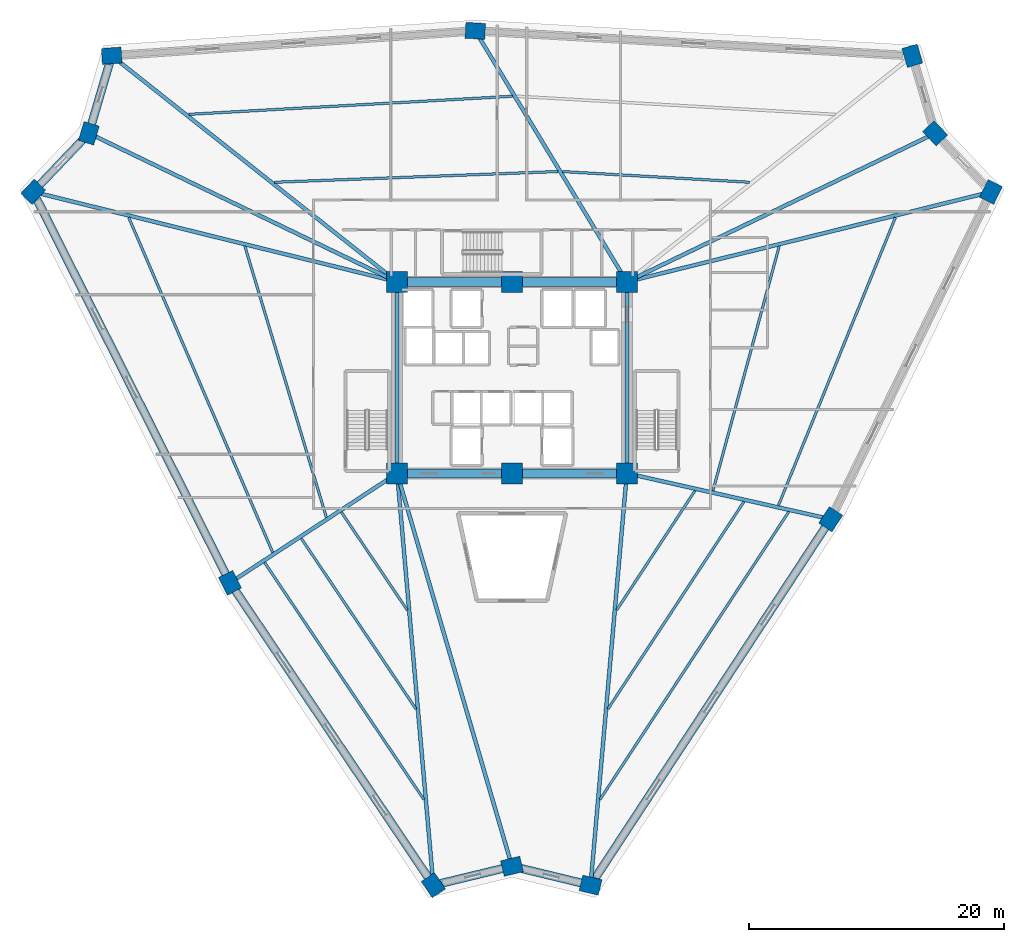
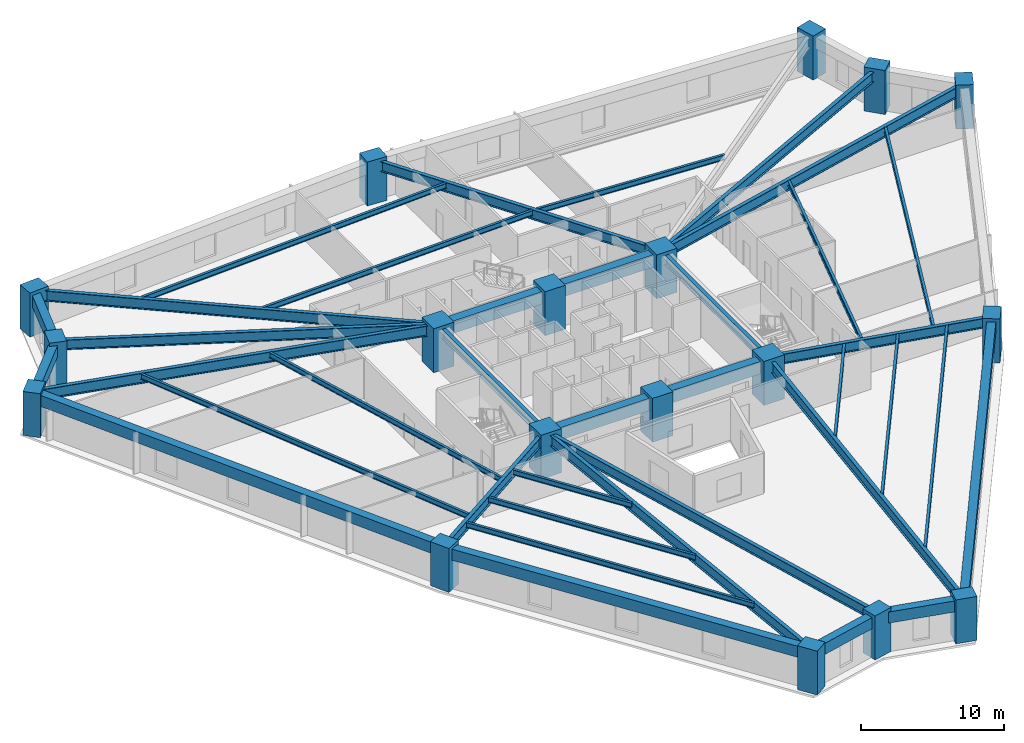
# One storey, part 1 of 8: 37 beams, 18 columns.
"""IFC4 building model written with IfcOpenShell, lengths in metres."""

from ifc_helpers import new_model, si_unit, direction, frame, origin, origin_2d, place, context, subcontext, project, spatial, rectangle, i_section, extrude, source, transform, mapped, material, material_profile, profile_set, type_object, element, save


model = new_model("IFC4")

# Units and contexts
model_context = context("Model", 3, precision=1e-05, world=origin(), true_north=direction((0.0, 1.0)))
body_context = subcontext(model_context, "Body", "Model", "MODEL_VIEW")
ifc_project = project(units=[si_unit("LENGTHUNIT", "METRE"), si_unit("AREAUNIT", "SQUARE_METRE"), si_unit("VOLUMEUNIT", "CUBIC_METRE"), si_unit("PLANEANGLEUNIT", "RADIAN"), si_unit("MASSUNIT", "GRAM", prefix="KILO")], contexts=[model_context])

# Site, building, storey
site_placement = place(None, origin())
site = spatial("IfcSite", under=ifc_project, at=site_placement, CompositionType="ELEMENT")
building_placement = place(site_placement, origin())
building = spatial("IfcBuilding", under=site, at=building_placement, Name="Liaohun Quay Tower", CompositionType="ELEMENT")
storey_placement = place(building_placement, frame((0.0, 0.0, 89.25)))
storey = spatial("IfcBuildingStorey", under=building, at=storey_placement, Name="L23", CompositionType="ELEMENT", Elevation=89.25)

# Columns
ifc_material_1 = material(Name="Concrete C60", Category="concrete")
ifc_material_profile_1 = material_profile(ifc_material_1, rectangle(XDim=1.64990234375, YDim=1.64990234375, at=origin_2d()), Name="RC1650x1650")
ifc_profile_set_1 = profile_set([ifc_material_profile_1], Name="Concrete C60")
column_type_1 = type_object("IfcColumnType", Name="COL-CC-Z1", PredefinedType="COLUMN", material=ifc_profile_set_1)
shared_shape_1 = source(origin(), body_context, "Body", "SweptSolid", [
    extrude(rectangle(XDim=1.64990234375, YDim=1.64990234375, at=origin_2d()), origin(), (0.0, 0.0, 1.0), 3.75),
])
for number, where, z_axis, x_axis, name in (
    (1, (51.0, 46.5, 0.0), (0.0, 0.0, 1.0), (1.0, 0.0, 0.0), "L23 Core Column CC1"),
    (2, (60.0, 46.5, 0.0), (0.0, 0.0, 1.0), (1.0, 0.0, 0.0), "L23 Core Column CC2"),
    (3, (69.0, 46.5, 0.0), (0.0, 0.0, 1.0), (1.0, 0.0, 0.0), "L23 Core Column CC3"),
    (4, (69.0, 61.5, 0.0), (0.0, 0.0, 1.0), (1.0, 0.0, 0.0), "L23 Core Column CC4"),
    (5, (60.0, 61.5, 0.0), (0.0, 0.0, 1.0), (1.0, 0.0, 0.0), "L23 Core Column CC5"),
    (6, (51.0, 61.5, 0.0), (0.0, 0.0, 1.0), (1.0, 0.0, 0.0), "L23 Core Column CC6"),
):
    element("IfcColumn", number, at=place(storey_placement, frame(where, z_axis=z_axis, x_axis=x_axis)), inside=storey, type_object=column_type_1, Name=name, PredefinedType="COLUMN", context=body_context, shape_type="MappedRepresentation", body=[
        mapped(shared_shape_1, transform((0.0, 0.0, 0.0), x_axis=(1.0, 0.0, 0.0), y_axis=(0.0, 1.0, 0.0), z_axis=(0.0, 0.0, 1.0), scale=1.0)),
    ])
ifc_material_profile_2 = material_profile(ifc_material_1, rectangle(XDim=1.550048828125, YDim=1.25, at=origin_2d()), Name="RC1550x1250")
ifc_profile_set_2 = profile_set([ifc_material_profile_2], Name="Concrete C60")
column_type_2 = type_object("IfcColumnType", Name="COL-PIER-Z1", PredefinedType="COLUMN", material=ifc_profile_set_2)
shared_shape_2 = source(origin(), body_context, "Body", "SweptSolid", [
    extrude(rectangle(XDim=1.550048828125, YDim=1.25, at=origin_2d()), origin(), (0.0, 0.0, 1.0), 3.75),
])
for number, where, z_axis, x_axis, name in (
    (7, (53.837890625, 14.22705078125, 0.0), (0.0, 0.0, 1.0), (-0.557889964956, 0.829914927569, 0.0), "L23 Perimeter Pier PC01"),
    (8, (37.908935546875, 37.925048828125, 0.0), (0.0, 0.0, 1.0), (-0.449942579956, 0.893057486807, 0.0), "L23 Perimeter Pier PC02"),
    (9, (22.47900390625, 68.554931640625, 0.0), (0.0, 0.0, 1.0), (0.68936671806, 0.724412539946, 0.0), "L23 Perimeter Pier PC03"),
    (10, (26.844970703125, 73.14208984375, 0.0), (0.0, 0.0, 1.0), (0.282676303383, 0.959215360337, 0.0), "L23 Perimeter Pier PC04"),
    (11, (28.636962890625, 79.221923828125, 0.0), (0.0, 0.0, 1.0), (0.997672392732, 0.068189418384, 0.0), "L23 Perimeter Pier PC05"),
    (12, (57.1240234375, 81.16796875, 0.0), (0.0, 0.0, 1.0), (-0.998381760593, 0.056867038918, 0.0), "L23 Perimeter Pier PC06"),
    (13, (91.364990234375, 79.215087890625, 0.0), (0.0, 0.0, 1.0), (-0.282676303383, 0.959215360337, 0.0), "L23 Perimeter Pier PC07"),
    (14, (93.155029296875, 73.14208984375, 0.0), (0.0, 0.0, 1.0), (-0.68936671806, 0.724412539946, 0.0), "L23 Perimeter Pier PC08"),
    (15, (97.52490234375, 68.550048828125, 0.0), (0.0, 0.0, 1.0), (0.439782427776, 0.898104345953, 0.0), "L23 Perimeter Pier PC09"),
    (16, (84.967041015625, 42.906982421875, 0.0), (0.0, 0.0, 1.0), (0.548439180637, 0.83619044789, 0.0), "L23 Perimeter Pier PC10"),
    (17, (66.155029296875, 14.22900390625, 0.0), (0.0, 0.0, 1.0), (-0.972043021443, 0.234802820391, 0.0), "L23 Perimeter Pier PC11"),
    (18, (60.0, 15.715087890625, 0.0), (0.0, 0.0, 1.0), (0.972043021443, 0.234802820391, 0.0), "L23 Perimeter Pier PC12"),
):
    element("IfcColumn", number, at=place(storey_placement, frame(where, z_axis=z_axis, x_axis=x_axis)), inside=storey, type_object=column_type_2, Name=name, PredefinedType="COLUMN", context=body_context, shape_type="MappedRepresentation", body=[
        mapped(shared_shape_2, transform((0.0, 0.0, 0.0), x_axis=(1.0, 0.0, 0.0), y_axis=(0.0, 1.0, 0.0), z_axis=(0.0, 0.0, 1.0), scale=1.0)),
    ])

# Beams
ifc_material_profile_3 = material_profile(ifc_material_1, rectangle(XDim=0.699951171875, YDim=1.050048828125, at=origin_2d()), Name="RC700x1050")
ifc_profile_set_3 = profile_set([ifc_material_profile_3], Name="Concrete C60")
beam_type_1 = type_object("IfcBeamType", Name="BM-CPL-1", PredefinedType="LINTEL", material=ifc_profile_set_3)
shared_shape_3 = source(origin(), body_context, "Body", "SweptSolid", [
    extrude(rectangle(XDim=0.699951171875, YDim=1.050048828125, at=origin_2d()), origin(), (0.0, 0.0, 1.0), 9.0),
])
for number, where, z_axis, x_axis, name in (
    (19, (51.0, 46.5, 2.945068359375), (1.0, 0.0, 0.0), (0.0, 1.0, 0.0), "L23 Core Coupling/Ring Beam CC1-CC2"),
    (20, (60.0, 46.5, 2.945068359375), (1.0, 0.0, 0.0), (0.0, 1.0, 0.0), "L23 Core Coupling/Ring Beam CC2-CC3"),
    (21, (69.0, 61.5, 2.945068359375), (-1.0, 0.0, 0.0), (0.0, -1.0, 0.0), "L23 Core Coupling/Ring Beam CC4-CC5"),
    (22, (60.0, 61.5, 2.945068359375), (-1.0, 0.0, 0.0), (0.0, -1.0, 0.0), "L23 Core Coupling/Ring Beam CC5-CC6"),
):
    element("IfcBeam", number, at=place(storey_placement, frame(where, z_axis=z_axis, x_axis=x_axis)), inside=storey, type_object=beam_type_1, Name=name, PredefinedType="LINTEL", context=body_context, shape_type="MappedRepresentation", body=[
        mapped(shared_shape_3, transform((0.0, 0.0, 0.0), x_axis=(1.0, 0.0, 0.0), y_axis=(0.0, 1.0, 0.0), z_axis=(0.0, 0.0, 1.0), scale=1.0)),
    ])
ifc_material_2 = material(Name="Steel Q355D", Category="steel")
ifc_material_profile_4 = material_profile(ifc_material_2, i_section(OverallWidth=0.300048828125, OverallDepth=0.800048828125, WebThickness=0.013916015625, FlangeThickness=0.02587890625, at=origin_2d()), Name="HN800x300x14x26")
ifc_profile_set_4 = profile_set([ifc_material_profile_4], Name="Steel Q355D")
beam_type_2 = type_object("IfcBeamType", Name="BM-RAD-M1", PredefinedType="BEAM", material=ifc_profile_set_4)
shared_shape_4 = source(origin(), body_context, "Body", "SweptSolid", [
    extrude(i_section(OverallWidth=0.300048828125, OverallDepth=0.800048828125, WebThickness=0.013916015625, FlangeThickness=0.02587890625, at=origin_2d()), origin(), (0.0, 0.0, 1.0), 15.0),
])
for number, where, z_axis, x_axis, name in (
    (23, (69.0, 46.5, 3.070068359375), (0.0, 1.0, 0.0), (-1.0, 0.0, 0.0), "L23 Core Coupling/Ring Beam CC3-CC4"),
    (24, (51.0, 61.5, 3.070068359375), (0.0, -1.0, 0.0), (1.0, 0.0, 0.0), "L23 Core Coupling/Ring Beam CC6-CC1"),
):
    element("IfcBeam", number, at=place(storey_placement, frame(where, z_axis=z_axis, x_axis=x_axis)), inside=storey, type_object=beam_type_2, Name=name, PredefinedType="BEAM", context=body_context, shape_type="MappedRepresentation", body=[
        mapped(shared_shape_4, transform((0.0, 0.0, 0.0), x_axis=(1.0, 0.0, 0.0), y_axis=(0.0, 1.0, 0.0), z_axis=(0.0, 0.0, 1.0), scale=1.0)),
    ])
ifc_material_3 = material(Name="Steel Q420D", Category="steel")
ifc_material_profile_5 = material_profile(ifc_material_3, i_section(OverallWidth=0.300048828125, OverallDepth=0.89990234375, WebThickness=0.01611328125, FlangeThickness=0.028076171875, at=origin_2d()), Name="HN900x300x16x28")
ifc_profile_set_5 = profile_set([ifc_material_profile_5], Name="Steel Q420D")
beam_type_3 = type_object("IfcBeamType", Name="BM-RAD-H1", PredefinedType="BEAM", material=ifc_profile_set_5)
shared_shape_5 = source(origin(), body_context, "Body", "SweptSolid", [
    extrude(i_section(OverallWidth=0.300048828125, OverallDepth=0.89990234375, WebThickness=0.01611328125, FlangeThickness=0.028076171875, at=origin_2d()), origin(), (0.0, 0.0, 1.0), 32.3974609375),
])
beam_1_placement = place(storey_placement, frame((51.0, 46.5, 3.02001953125), z_axis=(0.087596022997, -0.996156080519, 0.0), x_axis=(0.996156080519, 0.087596022997, 0.0)))
element("IfcBeam", 25, at=beam_1_placement, inside=storey, type_object=beam_type_3, Name="L23 Radial Primary Girder CC1-PC01", PredefinedType="BEAM", context=body_context, shape_type="MappedRepresentation", body=[
    mapped(shared_shape_5, transform((0.0, 0.0, 0.0), x_axis=(1.0, 0.0, 0.0), y_axis=(0.0, 1.0, 0.0), z_axis=(0.0, 0.0, 1.0), scale=1.0)),
])
ifc_material_profile_6 = material_profile(ifc_material_2, i_section(OverallWidth=0.300048828125, OverallDepth=0.85009765625, WebThickness=0.01611328125, FlangeThickness=0.028076171875, at=origin_2d()), Name="HN850x300x16x28")
ifc_profile_set_6 = profile_set([ifc_material_profile_6], Name="Steel Q355D")
beam_type_4 = type_object("IfcBeamType", Name="BM-RAD-H2", PredefinedType="BEAM", material=ifc_profile_set_6)
shared_shape_6 = source(origin(), body_context, "Body", "SweptSolid", [
    extrude(i_section(OverallWidth=0.300048828125, OverallDepth=0.85009765625, WebThickness=0.01611328125, FlangeThickness=0.028076171875, at=origin_2d()), origin(), (0.0, 0.0, 1.0), 15.6494140625),
])
beam_2_placement = place(storey_placement, frame((51.0, 46.5, 3.044921875), z_axis=(-0.836518335776, -0.547938932647, 0.0), x_axis=(0.547938932647, -0.836518335776, 0.0)))
element("IfcBeam", 26, at=beam_2_placement, inside=storey, type_object=beam_type_4, Name="L23 Radial Primary Girder CC1-PC02", PredefinedType="BEAM", context=body_context, shape_type="MappedRepresentation", body=[
    mapped(shared_shape_6, transform((0.0, 0.0, 0.0), x_axis=(1.0, 0.0, 0.0), y_axis=(0.0, 1.0, 0.0), z_axis=(0.0, 0.0, 1.0), scale=1.0)),
])
shared_shape_7 = source(origin(), body_context, "Body", "SweptSolid", [
    extrude(i_section(OverallWidth=0.300048828125, OverallDepth=0.89990234375, WebThickness=0.01611328125, FlangeThickness=0.028076171875, at=origin_2d()), origin(), (0.0, 0.0, 1.0), 29.380615234375),
])
beam_3_placement = place(storey_placement, frame((51.0, 61.5, 3.02001953125), z_axis=(-0.970742678292, 0.240122161704, 0.0), x_axis=(-0.240122161704, -0.970742678292, 0.0)))
element("IfcBeam", 27, at=beam_3_placement, inside=storey, type_object=beam_type_3, Name="L23 Radial Primary Girder CC6-PC03", PredefinedType="BEAM", context=body_context, shape_type="MappedRepresentation", body=[
    mapped(shared_shape_7, transform((0.0, 0.0, 0.0), x_axis=(1.0, 0.0, 0.0), y_axis=(0.0, 1.0, 0.0), z_axis=(0.0, 0.0, 1.0), scale=1.0)),
])
shared_shape_8 = source(origin(), body_context, "Body", "SweptSolid", [
    extrude(i_section(OverallWidth=0.300048828125, OverallDepth=0.85009765625, WebThickness=0.01611328125, FlangeThickness=0.028076171875, at=origin_2d()), origin(), (0.0, 0.0, 1.0), 26.814208984375),
])
for number, where, z_axis, x_axis, name in (
    (28, (51.0, 61.5, 3.044921875), (-0.900828270429, 0.434175571854, 0.0), (-0.434175571854, -0.900828270429, 0.0), "L23 Radial Primary Girder CC6-PC04"),
    (29, (69.0, 61.5, 3.044921875), (0.900828270429, 0.434175571854, 0.0), (-0.434175571854, 0.900828270429, 0.0), "L23 Radial Primary Girder CC4-PC08"),
):
    element("IfcBeam", number, at=place(storey_placement, frame(where, z_axis=z_axis, x_axis=x_axis)), inside=storey, type_object=beam_type_4, Name=name, PredefinedType="BEAM", context=body_context, shape_type="MappedRepresentation", body=[
        mapped(shared_shape_8, transform((0.0, 0.0, 0.0), x_axis=(1.0, 0.0, 0.0), y_axis=(0.0, 1.0, 0.0), z_axis=(0.0, 0.0, 1.0), scale=1.0)),
    ])
shared_shape_9 = source(origin(), body_context, "Body", "SweptSolid", [
    extrude(i_section(OverallWidth=0.300048828125, OverallDepth=0.89990234375, WebThickness=0.01611328125, FlangeThickness=0.028076171875, at=origin_2d()), origin(), (0.0, 0.0, 1.0), 28.53369140625),
])
beam_4_placement = place(storey_placement, frame((51.0, 61.5, 3.02001953125), z_axis=(-0.783741240078, 0.621087488685, 0.0), x_axis=(-0.621087488685, -0.783741240078, 0.0)))
element("IfcBeam", 30, at=beam_4_placement, inside=storey, type_object=beam_type_3, Name="L23 Radial Primary Girder CC6-PC05", PredefinedType="BEAM", context=body_context, shape_type="MappedRepresentation", body=[
    mapped(shared_shape_9, transform((0.0, 0.0, 0.0), x_axis=(1.0, 0.0, 0.0), y_axis=(0.0, 1.0, 0.0), z_axis=(0.0, 0.0, 1.0), scale=1.0)),
])
shared_shape_10 = source(origin(), body_context, "Body", "SweptSolid", [
    extrude(i_section(OverallWidth=0.300048828125, OverallDepth=0.85009765625, WebThickness=0.01611328125, FlangeThickness=0.028076171875, at=origin_2d()), origin(), (0.0, 0.0, 1.0), 22.975341796875),
])
beam_5_placement = place(storey_placement, frame((69.0, 61.5, 3.044921875), z_axis=(-0.516900248141, 0.856045637494, 0.0), x_axis=(-0.856045637494, -0.516900248141, 0.0)))
element("IfcBeam", 31, at=beam_5_placement, inside=storey, type_object=beam_type_4, Name="L23 Radial Primary Girder CC4-PC06", PredefinedType="BEAM", context=body_context, shape_type="MappedRepresentation", body=[
    mapped(shared_shape_10, transform((0.0, 0.0, 0.0), x_axis=(1.0, 0.0, 0.0), y_axis=(0.0, 1.0, 0.0), z_axis=(0.0, 0.0, 1.0), scale=1.0)),
])
shared_shape_11 = source(origin(), body_context, "Body", "SweptSolid", [
    extrude(i_section(OverallWidth=0.300048828125, OverallDepth=0.89990234375, WebThickness=0.01611328125, FlangeThickness=0.028076171875, at=origin_2d()), origin(), (0.0, 0.0, 1.0), 29.38330078125),
])
beam_6_placement = place(storey_placement, frame((69.0, 61.5, 3.02001953125), z_axis=(0.970789060717, 0.239934573566, 0.0), x_axis=(-0.239934573566, 0.970789060717, 0.0)))
element("IfcBeam", 32, at=beam_6_placement, inside=storey, type_object=beam_type_3, Name="L23 Radial Primary Girder CC4-PC09", PredefinedType="BEAM", context=body_context, shape_type="MappedRepresentation", body=[
    mapped(shared_shape_11, transform((0.0, 0.0, 0.0), x_axis=(1.0, 0.0, 0.0), y_axis=(0.0, 1.0, 0.0), z_axis=(0.0, 0.0, 1.0), scale=1.0)),
])
shared_shape_12 = source(origin(), body_context, "Body", "SweptSolid", [
    extrude(i_section(OverallWidth=0.300048828125, OverallDepth=0.85009765625, WebThickness=0.01611328125, FlangeThickness=0.028076171875, at=origin_2d()), origin(), (0.0, 0.0, 1.0), 16.3662109375),
])
beam_7_placement = place(storey_placement, frame((69.0, 46.5, 3.044921875), z_axis=(0.975604085259, -0.21953739733, 0.0), x_axis=(0.21953739733, 0.975604085259, 0.0)))
element("IfcBeam", 33, at=beam_7_placement, inside=storey, type_object=beam_type_4, Name="L23 Radial Primary Girder CC3-PC10", PredefinedType="BEAM", context=body_context, shape_type="MappedRepresentation", body=[
    mapped(shared_shape_12, transform((0.0, 0.0, 0.0), x_axis=(1.0, 0.0, 0.0), y_axis=(0.0, 1.0, 0.0), z_axis=(0.0, 0.0, 1.0), scale=1.0)),
])
shared_shape_13 = source(origin(), body_context, "Body", "SweptSolid", [
    extrude(i_section(OverallWidth=0.300048828125, OverallDepth=0.89990234375, WebThickness=0.01611328125, FlangeThickness=0.028076171875, at=origin_2d()), origin(), (0.0, 0.0, 1.0), 32.396240234375),
])
beam_8_placement = place(storey_placement, frame((69.0, 46.5, 3.02001953125), z_axis=(-0.087818151499, -0.996136522906, 0.0), x_axis=(0.996136522906, -0.087818151499, 0.0)))
element("IfcBeam", 34, at=beam_8_placement, inside=storey, type_object=beam_type_3, Name="L23 Radial Primary Girder CC3-PC11", PredefinedType="BEAM", context=body_context, shape_type="MappedRepresentation", body=[
    mapped(shared_shape_13, transform((0.0, 0.0, 0.0), x_axis=(1.0, 0.0, 0.0), y_axis=(0.0, 1.0, 0.0), z_axis=(0.0, 0.0, 1.0), scale=1.0)),
])
shared_shape_14 = source(origin(), body_context, "Body", "SweptSolid", [
    extrude(i_section(OverallWidth=0.300048828125, OverallDepth=0.85009765625, WebThickness=0.01611328125, FlangeThickness=0.028076171875, at=origin_2d()), origin(), (0.0, 0.0, 1.0), 32.073486328125),
])
beam_9_placement = place(storey_placement, frame((51.0, 46.5, 3.044921875), z_axis=(0.280605291791, -0.959823249468, 0.0), x_axis=(0.959823249468, 0.280605291791, 0.0)))
element("IfcBeam", 35, at=beam_9_placement, inside=storey, type_object=beam_type_4, Name="L23 Radial Primary Girder CC1-PC12", PredefinedType="BEAM", context=body_context, shape_type="MappedRepresentation", body=[
    mapped(shared_shape_14, transform((0.0, 0.0, 0.0), x_axis=(1.0, 0.0, 0.0), y_axis=(0.0, 1.0, 0.0), z_axis=(0.0, 0.0, 1.0), scale=1.0)),
])
ifc_material_profile_7 = material_profile(ifc_material_2, i_section(OverallWidth=0.199951171875, OverallDepth=0.449951171875, WebThickness=0.009033203125, FlangeThickness=0.013916015625, at=origin_2d()), Name="HN450x200x9x14")
ifc_profile_set_7 = profile_set([ifc_material_profile_7], Name="Steel Q355D")
beam_type_5 = type_object("IfcBeamType", Name="BM-SEC-J1", PredefinedType="JOIST", material=ifc_profile_set_7)
shared_shape_15 = source(origin(), body_context, "Body", "SweptSolid", [
    extrude(i_section(OverallWidth=0.199951171875, OverallDepth=0.449951171875, WebThickness=0.009033203125, FlangeThickness=0.013916015625, at=origin_2d()), origin(), (0.0, 0.0, 1.0), 9.247802734375),
])
beam_10_placement = place(storey_placement, frame((51.7919921875, 35.784912109375, 3.2451171875), z_axis=(-0.557858096959, 0.82993634916, 0.0), x_axis=(-0.82993634916, -0.557858096959, 0.0)))
element("IfcBeam", 36, at=beam_10_placement, inside=storey, type_object=beam_type_5, Name="L23 Wing Secondary Floor Joist SJ-01", PredefinedType="JOIST", context=body_context, shape_type="MappedRepresentation", body=[
    mapped(shared_shape_15, transform((0.0, 0.0, 0.0), x_axis=(1.0, 0.0, 0.0), y_axis=(0.0, 1.0, 0.0), z_axis=(0.0, 0.0, 1.0), scale=1.0)),
])
shared_shape_16 = source(origin(), body_context, "Body", "SweptSolid", [
    extrude(i_section(OverallWidth=0.199951171875, OverallDepth=0.449951171875, WebThickness=0.009033203125, FlangeThickness=0.013916015625, at=origin_2d()), origin(), (0.0, 0.0, 1.0), 16.10107421875),
])
beam_11_placement = place(storey_placement, frame((52.472900390625, 28.0390625, 3.2451171875), z_axis=(-0.557845454064, 0.829944847192, 0.0), x_axis=(-0.829944847192, -0.557845454064, 0.0)))
element("IfcBeam", 37, at=beam_11_placement, inside=storey, type_object=beam_type_5, Name="L23 Wing Secondary Floor Joist SJ-02", PredefinedType="JOIST", context=body_context, shape_type="MappedRepresentation", body=[
    mapped(shared_shape_16, transform((0.0, 0.0, 0.0), x_axis=(1.0, 0.0, 0.0), y_axis=(0.0, 1.0, 0.0), z_axis=(0.0, 0.0, 1.0), scale=1.0)),
])
shared_shape_17 = source(origin(), body_context, "Body", "SweptSolid", [
    extrude(i_section(OverallWidth=0.199951171875, OverallDepth=0.449951171875, WebThickness=0.009033203125, FlangeThickness=0.013916015625, at=origin_2d()), origin(), (0.0, 0.0, 1.0), 22.383056640625),
])
beam_12_placement = place(storey_placement, frame((53.096923828125, 20.93896484375, 3.2451171875), z_axis=(-0.557822488475, 0.829960282997, 0.0), x_axis=(-0.829960282997, -0.557822488475, 0.0)))
element("IfcBeam", 38, at=beam_12_placement, inside=storey, type_object=beam_type_5, Name="L23 Wing Secondary Floor Joist SJ-03", PredefinedType="JOIST", context=body_context, shape_type="MappedRepresentation", body=[
    mapped(shared_shape_17, transform((0.0, 0.0, 0.0), x_axis=(1.0, 0.0, 0.0), y_axis=(0.0, 1.0, 0.0), z_axis=(0.0, 0.0, 1.0), scale=1.0)),
])
shared_shape_18 = source(origin(), body_context, "Body", "SweptSolid", [
    extrude(i_section(OverallWidth=0.199951171875, OverallDepth=0.449951171875, WebThickness=0.009033203125, FlangeThickness=0.013916015625, at=origin_2d()), origin(), (0.0, 0.0, 1.0), 22.186767578125),
])
beam_13_placement = place(storey_placement, frame((45.45703125, 43.048095703125, 3.2451171875), z_axis=(-0.287829396711, 0.957681699934, 0.0), x_axis=(-0.957681699934, -0.287829396711, 0.0)))
element("IfcBeam", 39, at=beam_13_placement, inside=storey, type_object=beam_type_5, Name="L23 Wing Secondary Floor Joist SJ-04", PredefinedType="JOIST", context=body_context, shape_type="MappedRepresentation", body=[
    mapped(shared_shape_18, transform((0.0, 0.0, 0.0), x_axis=(1.0, 0.0, 0.0), y_axis=(0.0, 1.0, 0.0), z_axis=(0.0, 0.0, 1.0), scale=1.0)),
])
shared_shape_19 = source(origin(), body_context, "Body", "SweptSolid", [
    extrude(i_section(OverallWidth=0.199951171875, OverallDepth=0.449951171875, WebThickness=0.009033203125, FlangeThickness=0.013916015625, at=origin_2d()), origin(), (0.0, 0.0, 1.0), 28.576416015625),
])
beam_14_placement = place(storey_placement, frame((41.2529296875, 40.2939453125, 3.2451171875), z_axis=(-0.394869767762, 0.918737104131, 0.0), x_axis=(-0.918737104131, -0.394869767762, 0.0)))
element("IfcBeam", 40, at=beam_14_placement, inside=storey, type_object=beam_type_5, Name="L23 Wing Secondary Floor Joist SJ-05", PredefinedType="JOIST", context=body_context, shape_type="MappedRepresentation", body=[
    mapped(shared_shape_19, transform((0.0, 0.0, 0.0), x_axis=(1.0, 0.0, 0.0), y_axis=(0.0, 1.0, 0.0), z_axis=(0.0, 0.0, 1.0), scale=1.0)),
])
shared_shape_20 = source(origin(), body_context, "Body", "SweptSolid", [
    extrude(i_section(OverallWidth=0.199951171875, OverallDepth=0.449951171875, WebThickness=0.009033203125, FlangeThickness=0.013916015625, at=origin_2d()), origin(), (0.0, 0.0, 1.0), 22.227783203125),
])
beam_15_placement = place(storey_placement, frame((41.39111328125, 69.305908203125, 3.2451171875), z_axis=(0.999283873274, 0.037838348466, 0.0), x_axis=(-0.037838348466, 0.999283873274, 0.0)))
element("IfcBeam", 41, at=beam_15_placement, inside=storey, type_object=beam_type_5, Name="L23 Wing Secondary Floor Joist SJ-06", PredefinedType="JOIST", context=body_context, shape_type="MappedRepresentation", body=[
    mapped(shared_shape_20, transform((0.0, 0.0, 0.0), x_axis=(1.0, 0.0, 0.0), y_axis=(0.0, 1.0, 0.0), z_axis=(0.0, 0.0, 1.0), scale=1.0)),
])
shared_shape_21 = source(origin(), body_context, "Body", "SweptSolid", [
    extrude(i_section(OverallWidth=0.199951171875, OverallDepth=0.449951171875, WebThickness=0.009033203125, FlangeThickness=0.013916015625, at=origin_2d()), origin(), (0.0, 0.0, 1.0), 25.404541015625),
])
beam_16_placement = place(storey_placement, frame((34.677001953125, 74.626953125, 3.2451171875), z_axis=(0.998441102826, 0.055815447569, 0.0), x_axis=(-0.055815447569, 0.998441102826, 0.0)))
element("IfcBeam", 42, at=beam_16_placement, inside=storey, type_object=beam_type_5, Name="L23 Wing Secondary Floor Joist SJ-07", PredefinedType="JOIST", context=body_context, shape_type="MappedRepresentation", body=[
    mapped(shared_shape_21, transform((0.0, 0.0, 0.0), x_axis=(1.0, 0.0, 0.0), y_axis=(0.0, 1.0, 0.0), z_axis=(0.0, 0.0, 1.0), scale=1.0)),
])
shared_shape_22 = source(origin(), body_context, "Body", "SweptSolid", [
    extrude(i_section(OverallWidth=0.199951171875, OverallDepth=0.449951171875, WebThickness=0.009033203125, FlangeThickness=0.013916015625, at=origin_2d()), origin(), (0.0, 0.0, 1.0), 14.682861328125),
])
beam_17_placement = place(storey_placement, frame((63.9560546875, 70.14404296875, 3.2451171875), z_axis=(0.998373255033, -0.057016169937, 0.0), x_axis=(0.057016169937, 0.998373255033, 0.0)))
element("IfcBeam", 43, at=beam_17_placement, inside=storey, type_object=beam_type_5, Name="L23 Wing Secondary Floor Joist SJ-08", PredefinedType="JOIST", context=body_context, shape_type="MappedRepresentation", body=[
    mapped(shared_shape_22, transform((0.0, 0.0, 0.0), x_axis=(1.0, 0.0, 0.0), y_axis=(0.0, 1.0, 0.0), z_axis=(0.0, 0.0, 1.0), scale=1.0)),
])
shared_shape_23 = source(origin(), body_context, "Body", "SweptSolid", [
    extrude(i_section(OverallWidth=0.199951171875, OverallDepth=0.449951171875, WebThickness=0.009033203125, FlangeThickness=0.013916015625, at=origin_2d()), origin(), (0.0, 0.0, 1.0), 19.849609375),
])
beam_18_placement = place(storey_placement, frame((80.93603515625, 64.294921875, 3.2451171875), z_axis=(-0.261511204359, -0.96520044032, 0.0), x_axis=(0.96520044032, -0.261511204359, 0.0)))
element("IfcBeam", 44, at=beam_18_placement, inside=storey, type_object=beam_type_5, Name="L23 Wing Secondary Floor Joist SJ-10", PredefinedType="JOIST", context=body_context, shape_type="MappedRepresentation", body=[
    mapped(shared_shape_23, transform((0.0, 0.0, 0.0), x_axis=(1.0, 0.0, 0.0), y_axis=(0.0, 1.0, 0.0), z_axis=(0.0, 0.0, 1.0), scale=1.0)),
])
shared_shape_24 = source(origin(), body_context, "Body", "SweptSolid", [
    extrude(i_section(OverallWidth=0.199951171875, OverallDepth=0.449951171875, WebThickness=0.009033203125, FlangeThickness=0.013916015625, at=origin_2d()), origin(), (0.0, 0.0, 1.0), 24.353759765625),
])
beam_19_placement = place(storey_placement, frame((90.0390625, 66.544921875, 3.2451171875), z_axis=(-0.376370055654, -0.926469417308, 0.0), x_axis=(0.926469417308, -0.376370055654, 0.0)))
element("IfcBeam", 45, at=beam_19_placement, inside=storey, type_object=beam_type_5, Name="L23 Wing Secondary Floor Joist SJ-11", PredefinedType="JOIST", context=body_context, shape_type="MappedRepresentation", body=[
    mapped(shared_shape_24, transform((0.0, 0.0, 0.0), x_axis=(1.0, 0.0, 0.0), y_axis=(0.0, 1.0, 0.0), z_axis=(0.0, 0.0, 1.0), scale=1.0)),
])
shared_shape_25 = source(origin(), body_context, "Body", "SweptSolid", [
    extrude(i_section(OverallWidth=0.199951171875, OverallDepth=0.449951171875, WebThickness=0.009033203125, FlangeThickness=0.013916015625, at=origin_2d()), origin(), (0.0, 0.0, 1.0), 11.183349609375),
])
beam_20_placement = place(storey_placement, frame((74.341064453125, 45.14404296875, 3.2451171875), z_axis=(-0.548493349902, -0.836154916934, 0.0), x_axis=(0.836154916934, -0.548493349902, 0.0)))
element("IfcBeam", 46, at=beam_20_placement, inside=storey, type_object=beam_type_5, Name="L23 Wing Secondary Floor Joist SJ-12", PredefinedType="JOIST", context=body_context, shape_type="MappedRepresentation", body=[
    mapped(shared_shape_25, transform((0.0, 0.0, 0.0), x_axis=(1.0, 0.0, 0.0), y_axis=(0.0, 1.0, 0.0), z_axis=(0.0, 0.0, 1.0), scale=1.0)),
])
shared_shape_26 = source(origin(), body_context, "Body", "SweptSolid", [
    extrude(i_section(OverallWidth=0.199951171875, OverallDepth=0.449951171875, WebThickness=0.009033203125, FlangeThickness=0.013916015625, at=origin_2d()), origin(), (0.0, 0.0, 1.0), 19.4150390625),
])
beam_21_placement = place(storey_placement, frame((78.173095703125, 44.281982421875, 3.2451171875), z_axis=(-0.548500967772, -0.836149919783, 0.0), x_axis=(0.836149919783, -0.548500967772, 0.0)))
element("IfcBeam", 47, at=beam_21_placement, inside=storey, type_object=beam_type_5, Name="L23 Wing Secondary Floor Joist SJ-13", PredefinedType="JOIST", context=body_context, shape_type="MappedRepresentation", body=[
    mapped(shared_shape_26, transform((0.0, 0.0, 0.0), x_axis=(1.0, 0.0, 0.0), y_axis=(0.0, 1.0, 0.0), z_axis=(0.0, 0.0, 1.0), scale=1.0)),
])
shared_shape_27 = source(origin(), body_context, "Body", "SweptSolid", [
    extrude(i_section(OverallWidth=0.199951171875, OverallDepth=0.449951171875, WebThickness=0.009033203125, FlangeThickness=0.013916015625, at=origin_2d()), origin(), (0.0, 0.0, 1.0), 26.96142578125),
])
beam_22_placement = place(storey_placement, frame((81.68603515625, 43.491943359375, 3.2451171875), z_axis=(-0.548491076155, -0.836156408442, 0.0), x_axis=(0.836156408442, -0.548491076155, 0.0)))
element("IfcBeam", 48, at=beam_22_placement, inside=storey, type_object=beam_type_5, Name="L23 Wing Secondary Floor Joist SJ-14", PredefinedType="JOIST", context=body_context, shape_type="MappedRepresentation", body=[
    mapped(shared_shape_27, transform((0.0, 0.0, 0.0), x_axis=(1.0, 0.0, 0.0), y_axis=(0.0, 1.0, 0.0), z_axis=(0.0, 0.0, 1.0), scale=1.0)),
])
ifc_material_4 = material(Name="Precast concrete C55", Category="concrete")
ifc_material_profile_8 = material_profile(ifc_material_4, rectangle(XDim=0.64990234375, YDim=0.949951171875, at=origin_2d()), Name="RC650x950")
ifc_profile_set_8 = profile_set([ifc_material_profile_8], Name="Precast concrete C55")
beam_type_6 = type_object("IfcBeamType", Name="BM-SPD-Z1", PredefinedType="SPANDREL", material=ifc_profile_set_8)
shared_shape_28 = source(origin(), body_context, "Body", "SweptSolid", [
    extrude(rectangle(XDim=0.64990234375, YDim=0.949951171875, at=origin_2d()), origin(), (0.0, 0.0, 1.0), 28.553955078125),
])
beam_23_placement = place(storey_placement, frame((53.837890625, 14.22705078125, 2.9951171875), z_axis=(-0.557855153523, 0.829938327642, 0.0), x_axis=(-0.829938327642, -0.557855153523, 0.0)))
element("IfcBeam", 49, at=beam_23_placement, inside=storey, type_object=beam_type_6, Name="L23 Precast Spandrel Beam PC01-PC02", PredefinedType="SPANDREL", context=body_context, shape_type="MappedRepresentation", body=[
    mapped(shared_shape_28, transform((0.0, 0.0, 0.0), x_axis=(1.0, 0.0, 0.0), y_axis=(0.0, 1.0, 0.0), z_axis=(0.0, 0.0, 1.0), scale=1.0)),
])
shared_shape_29 = source(origin(), body_context, "Body", "SweptSolid", [
    extrude(rectangle(XDim=0.64990234375, YDim=0.949951171875, at=origin_2d()), origin(), (0.0, 0.0, 1.0), 34.296875),
])
beam_24_placement = place(storey_placement, frame((37.908935546875, 37.925048828125, 2.9951171875), z_axis=(-0.44989382051, 0.893082051251, 0.0), x_axis=(-0.893082051251, -0.44989382051, 0.0)))
element("IfcBeam", 50, at=beam_24_placement, inside=storey, type_object=beam_type_6, Name="L23 Precast Spandrel Beam PC02-PC03", PredefinedType="SPANDREL", context=body_context, shape_type="MappedRepresentation", body=[
    mapped(shared_shape_29, transform((0.0, 0.0, 0.0), x_axis=(1.0, 0.0, 0.0), y_axis=(0.0, 1.0, 0.0), z_axis=(0.0, 0.0, 1.0), scale=1.0)),
])
shared_shape_30 = source(origin(), body_context, "Body", "SweptSolid", [
    extrude(rectangle(XDim=0.64990234375, YDim=0.949951171875, at=origin_2d()), origin(), (0.0, 0.0, 1.0), 6.332763671875),
])
beam_25_placement = place(storey_placement, frame((22.47900390625, 68.554931640625, 2.9951171875), z_axis=(0.68942698867, 0.724355180346, 0.0), x_axis=(-0.724355180346, 0.68942698867, 0.0)))
element("IfcBeam", 51, at=beam_25_placement, inside=storey, type_object=beam_type_6, Name="L23 Precast Spandrel Beam PC03-PC04", PredefinedType="SPANDREL", context=body_context, shape_type="MappedRepresentation", body=[
    mapped(shared_shape_30, transform((0.0, 0.0, 0.0), x_axis=(1.0, 0.0, 0.0), y_axis=(0.0, 1.0, 0.0), z_axis=(0.0, 0.0, 1.0), scale=1.0)),
])
shared_shape_31 = source(origin(), body_context, "Body", "SweptSolid", [
    extrude(rectangle(XDim=0.64990234375, YDim=0.949951171875, at=origin_2d()), origin(), (0.0, 0.0, 1.0), 6.33837890625),
])
beam_26_placement = place(storey_placement, frame((26.844970703125, 73.14208984375, 2.9951171875), z_axis=(0.282718893772, 0.95920280812, 0.0), x_axis=(-0.95920280812, 0.282718893772, 0.0)))
element("IfcBeam", 52, at=beam_26_placement, inside=storey, type_object=beam_type_6, Name="L23 Precast Spandrel Beam PC04-PC05", PredefinedType="SPANDREL", context=body_context, shape_type="MappedRepresentation", body=[
    mapped(shared_shape_31, transform((0.0, 0.0, 0.0), x_axis=(1.0, 0.0, 0.0), y_axis=(0.0, 1.0, 0.0), z_axis=(0.0, 0.0, 1.0), scale=1.0)),
])
shared_shape_32 = source(origin(), body_context, "Body", "SweptSolid", [
    extrude(rectangle(XDim=0.64990234375, YDim=0.949951171875, at=origin_2d()), origin(), (0.0, 0.0, 1.0), 34.297607421875),
])
beam_27_placement = place(storey_placement, frame((84.967041015625, 42.906982421875, 2.9951171875), z_axis=(-0.548495192784, -0.836153708054, 0.0), x_axis=(0.836153708054, -0.548495192784, 0.0)))
element("IfcBeam", 53, at=beam_27_placement, inside=storey, type_object=beam_type_6, Name="L23 Precast Spandrel Beam PC10-PC11", PredefinedType="SPANDREL", context=body_context, shape_type="MappedRepresentation", body=[
    mapped(shared_shape_32, transform((0.0, 0.0, 0.0), x_axis=(1.0, 0.0, 0.0), y_axis=(0.0, 1.0, 0.0), z_axis=(0.0, 0.0, 1.0), scale=1.0)),
])
shared_shape_33 = source(origin(), body_context, "Body", "SweptSolid", [
    extrude(rectangle(XDim=0.64990234375, YDim=0.949951171875, at=origin_2d()), origin(), (0.0, 0.0, 1.0), 6.331787109375),
])
beam_28_placement = place(storey_placement, frame((66.155029296875, 14.22900390625, 2.9951171875), z_axis=(-0.972068256908, 0.234698325326, 0.0), x_axis=(-0.234698325326, -0.972068256908, 0.0)))
element("IfcBeam", 54, at=beam_28_placement, inside=storey, type_object=beam_type_6, Name="L23 Precast Spandrel Beam PC11-PC12", PredefinedType="SPANDREL", context=body_context, shape_type="MappedRepresentation", body=[
    mapped(shared_shape_33, transform((0.0, 0.0, 0.0), x_axis=(1.0, 0.0, 0.0), y_axis=(0.0, 1.0, 0.0), z_axis=(0.0, 0.0, 1.0), scale=1.0)),
])
shared_shape_34 = source(origin(), body_context, "Body", "SweptSolid", [
    extrude(rectangle(XDim=0.64990234375, YDim=0.949951171875, at=origin_2d()), origin(), (0.0, 0.0, 1.0), 6.339111328125),
])
beam_29_placement = place(storey_placement, frame((60.0, 15.715087890625, 2.9951171875), z_axis=(-0.972059485876, -0.234734650016, 0.0), x_axis=(0.234734650016, -0.972059485876, 0.0)))
element("IfcBeam", 55, at=beam_29_placement, inside=storey, type_object=beam_type_6, Name="L23 Precast Spandrel Beam PC12-PC01", PredefinedType="SPANDREL", context=body_context, shape_type="MappedRepresentation", body=[
    mapped(shared_shape_34, transform((0.0, 0.0, 0.0), x_axis=(1.0, 0.0, 0.0), y_axis=(0.0, 1.0, 0.0), z_axis=(0.0, 0.0, 1.0), scale=1.0)),
])

save(model, "model.ifc")
